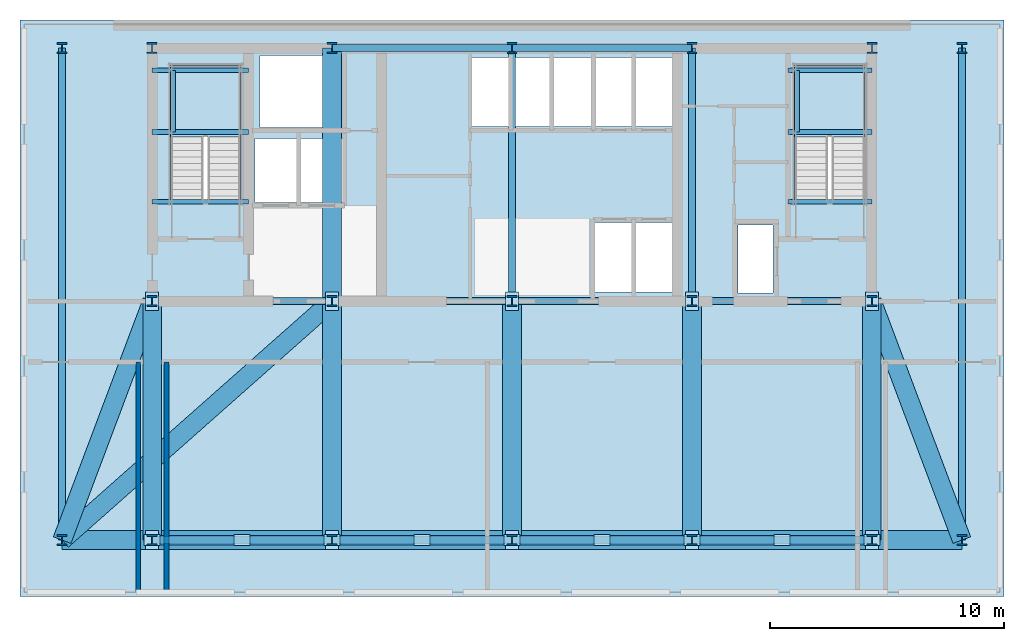
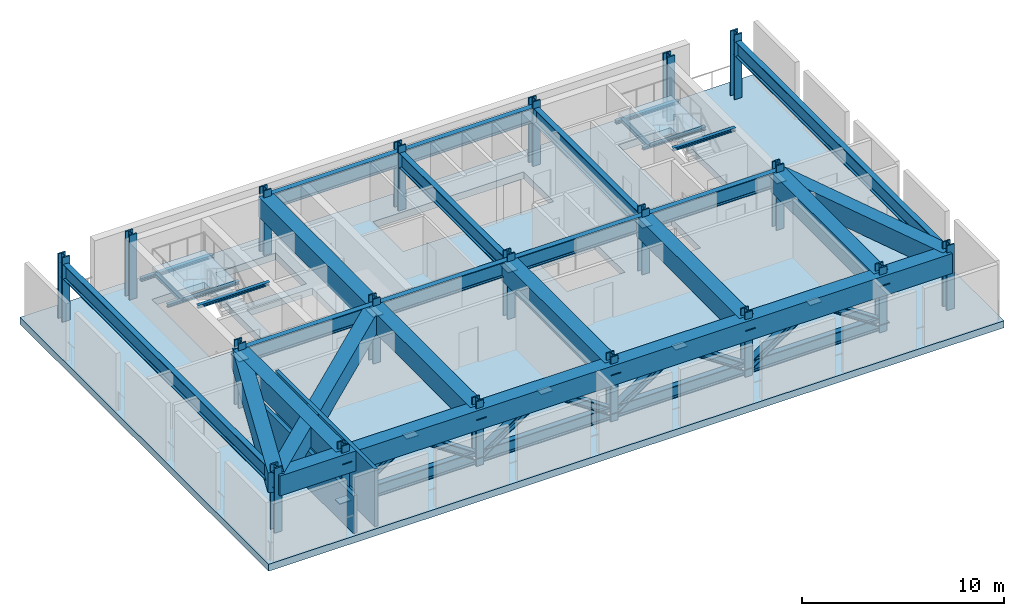
# One storey, part 1 of 7: 28 beams, 19 columns, 19 plates, 12 members, 3 slabs, 2 walls, 2 elements without a shape of their own.
"""IFC4 building model written with IfcOpenShell, lengths in metres."""

from ifc_helpers import new_model, si_unit, direction, frame, frame_2d, origin, origin_2d, place, context, subcontext, project, spatial, polyline, rectangle, i_section, outline, extrude, material, layer, layer_set, material_profile, profile_set, type_object, element, aggregate, save


model = new_model("IFC4")

# Units and contexts
model_context = context("Model", 3, precision=1e-05, world=origin(), true_north=direction((0.0, 1.0)))
body_context = subcontext(model_context, "Body", "Model", "MODEL_VIEW")
ifc_project = project(units=[si_unit("LENGTHUNIT", "METRE"), si_unit("AREAUNIT", "SQUARE_METRE"), si_unit("VOLUMEUNIT", "CUBIC_METRE"), si_unit("PLANEANGLEUNIT", "RADIAN"), si_unit("MASSUNIT", "GRAM", prefix="KILO")], contexts=[model_context])

# Site, building, storey
site_placement = place(None, origin())
site = spatial("IfcSite", under=ifc_project, at=site_placement, CompositionType="ELEMENT")
building_placement = place(site_placement, origin())
building = spatial("IfcBuilding", under=site, at=building_placement, Name="Yelkora Congress Tower", CompositionType="ELEMENT")
storey_placement = place(building_placement, frame((0.0, 0.0, 145.10009765625)))
storey = spatial("IfcBuildingStorey", under=building, at=storey_placement, Name="L39", CompositionType="ELEMENT", Elevation=145.10009765625)

# Columns
ifc_material_1 = material(Name="Steel S460M", Category="steel")
ifc_material_profile_1 = material_profile(ifc_material_1, i_section(OverallWidth=0.424072265625, OverallDepth=0.47412109375, WebThickness=0.047119140625, FlangeThickness=0.076904296875, FilletRadius=0.014892578125, at=origin_2d()), Name="HD 400x634")
ifc_profile_set_1 = profile_set([ifc_material_profile_1], Name="Steel S460M")
column_type = type_object("IfcColumnType", Name="COL-HD-634", PredefinedType="COLUMN", material=ifc_profile_set_1)
for number, where, z_axis, x_axis, name in (
    (1, (23.0400390625, 35.39990234375, 0.0), (0.0, 0.0, 1.0), (1.0, 0.0, 0.0), "L39 Mega Column MC-S1"),
    (2, (23.0400390625, 46.199951171875, 0.0), (0.0, 0.0, 1.0), (1.0, 0.0, 0.0), "L39 Mega Column MC-N1"),
    (3, (23.0400390625, 25.199951171875, 0.0), (0.0, 0.0, 1.0), (1.0, 0.0, 0.0), "L39 Mega Column MC-D1"),
    (4, (30.719970703125, 35.39990234375, 0.0), (0.0, 0.0, 1.0), (1.0, 0.0, 0.0), "L39 Mega Column MC-S2"),
    (5, (30.719970703125, 46.199951171875, 0.0), (0.0, 0.0, 1.0), (1.0, 0.0, 0.0), "L39 Mega Column MC-N2"),
    (6, (30.719970703125, 25.199951171875, 0.0), (0.0, 0.0, 1.0), (1.0, 0.0, 0.0), "L39 Mega Column MC-D2"),
    (7, (38.39990234375, 35.39990234375, 0.0), (0.0, 0.0, 1.0), (1.0, 0.0, 0.0), "L39 Mega Column MC-S3"),
    (8, (38.39990234375, 46.199951171875, 0.0), (0.0, 0.0, 1.0), (1.0, 0.0, 0.0), "L39 Mega Column MC-N3"),
    (9, (38.39990234375, 25.199951171875, 0.0), (0.0, 0.0, 1.0), (1.0, 0.0, 0.0), "L39 Mega Column MC-D3"),
    (10, (46.080078125, 35.39990234375, 0.0), (0.0, 0.0, 1.0), (1.0, 0.0, 0.0), "L39 Mega Column MC-S4"),
    (11, (46.080078125, 46.199951171875, 0.0), (0.0, 0.0, 1.0), (1.0, 0.0, 0.0), "L39 Mega Column MC-N4"),
    (12, (46.080078125, 25.199951171875, 0.0), (0.0, 0.0, 1.0), (1.0, 0.0, 0.0), "L39 Mega Column MC-D4"),
    (13, (53.760009765625, 35.39990234375, 0.0), (0.0, 0.0, 1.0), (1.0, 0.0, 0.0), "L39 Mega Column MC-S5"),
    (14, (53.760009765625, 46.199951171875, 0.0), (0.0, 0.0, 1.0), (1.0, 0.0, 0.0), "L39 Mega Column MC-N5"),
    (15, (53.760009765625, 25.199951171875, 0.0), (0.0, 0.0, 1.0), (1.0, 0.0, 0.0), "L39 Mega Column MC-D5"),
    (16, (19.199951171875, 25.199951171875, 0.0), (0.0, 0.0, 1.0), (1.0, 0.0, 0.0), "L39 Mega Column MC-F1"),
    (17, (57.60009765625, 25.199951171875, 0.0), (0.0, 0.0, 1.0), (1.0, 0.0, 0.0), "L39 Mega Column MC-F2"),
    (18, (19.199951171875, 46.199951171875, 0.0), (0.0, 0.0, 1.0), (1.0, 0.0, 0.0), "L39 Mega Column MC-F3"),
    (19, (57.60009765625, 46.199951171875, 0.0), (0.0, 0.0, 1.0), (1.0, 0.0, 0.0), "L39 Mega Column MC-F4"),
):
    element("IfcColumn", number, at=place(storey_placement, frame(where, z_axis=z_axis, x_axis=x_axis)), inside=storey, type_object=column_type, Name=name, PredefinedType="COLUMN", context=body_context, shape_type="SweptSolid", body=[
        extrude(i_section(OverallWidth=0.424072265625, OverallDepth=0.47412109375, WebThickness=0.047119140625, FlangeThickness=0.076904296875, FilletRadius=0.014892578125, at=origin_2d()), origin(), (0.0, 0.0, 1.0), 3.89990234375),
    ])

# Beams
ifc_material_2 = material(Name="Steel S355J2", Category="steel")
ifc_material_profile_2 = material_profile(ifc_material_2, i_section(OverallWidth=0.199951171875, OverallDepth=0.18994140625, WebThickness=0.006591796875, FlangeThickness=0.010009765625, FilletRadius=0.01806640625, at=origin_2d()), Name="HEA 200")
ifc_profile_set_2 = profile_set([ifc_material_profile_2], Name="Steel S355J2")
beam_type_1 = type_object("IfcBeamType", Name="BM-LAND-HEA200", PredefinedType="BEAM", material=ifc_profile_set_2)
for number, where, z_axis, x_axis, name in (
    (20, (23.0400390625, 42.6201171875, 1.634521484375), (1.0, 0.0, 0.0), (0.0, 1.0, 0.0), "ST-01 L39 Landing Header Beam 1S"),
    (21, (23.0400390625, 45.25, 1.634521484375), (1.0, 0.0, 0.0), (0.0, 1.0, 0.0), "ST-01 L39 Landing Header Beam 1N"),
):
    element("IfcBeam", number, at=place(storey_placement, frame(where, z_axis=z_axis, x_axis=x_axis)), inside=storey, type_object=beam_type_1, Name=name, PredefinedType="BEAM", context=body_context, shape_type="SweptSolid", body=[
        extrude(i_section(OverallWidth=0.199951171875, OverallDepth=0.18994140625, WebThickness=0.006591796875, FlangeThickness=0.010009765625, FilletRadius=0.01806640625, at=origin_2d()), origin(), (0.0, 0.0, 1.0), 4.10986328125),
    ])
beam_1_placement = place(storey_placement, frame((23.93994140625, 42.6201171875, 1.634521484375), z_axis=(0.0, 1.0, 0.0), x_axis=(-1.0, 0.0, 0.0)))
element("IfcBeam", 22, at=beam_1_placement, inside=storey, type_object=beam_type_1, Name="ST-01 L39 Landing Trimmer Beam 1M", PredefinedType="BEAM", context=body_context, shape_type="SweptSolid", body=[
    extrude(i_section(OverallWidth=0.199951171875, OverallDepth=0.18994140625, WebThickness=0.006591796875, FlangeThickness=0.010009765625, FilletRadius=0.01806640625, at=origin_2d()), origin(), (0.0, 0.0, 1.0), 2.6298828125),
])
beam_2_placement = place(storey_placement, frame((23.0400390625, 39.639892578125, 3.384521484375), z_axis=(1.0, 0.0, 0.0), x_axis=(0.0, 1.0, 0.0)))
element("IfcBeam", 23, at=beam_2_placement, inside=storey, type_object=beam_type_1, Name="ST-01 L39 Floor Arrival Stringer Header Beam", PredefinedType="BEAM", context=body_context, shape_type="SweptSolid", body=[
    extrude(i_section(OverallWidth=0.199951171875, OverallDepth=0.18994140625, WebThickness=0.006591796875, FlangeThickness=0.010009765625, FilletRadius=0.01806640625, at=origin_2d()), origin(), (0.0, 0.0, 1.0), 4.10986328125),
])
for number, where, z_axis, x_axis, name in (
    (24, (50.179931640625, 42.6201171875, 1.634521484375), (1.0, 0.0, 0.0), (0.0, 1.0, 0.0), "ST-02 L39 Landing Header Beam 1S"),
    (25, (50.179931640625, 45.25, 1.634521484375), (1.0, 0.0, 0.0), (0.0, 1.0, 0.0), "ST-02 L39 Landing Header Beam 1N"),
):
    element("IfcBeam", number, at=place(storey_placement, frame(where, z_axis=z_axis, x_axis=x_axis)), inside=storey, type_object=beam_type_1, Name=name, PredefinedType="BEAM", context=body_context, shape_type="SweptSolid", body=[
        extrude(i_section(OverallWidth=0.199951171875, OverallDepth=0.18994140625, WebThickness=0.006591796875, FlangeThickness=0.010009765625, FilletRadius=0.01806640625, at=origin_2d()), origin(), (0.0, 0.0, 1.0), 3.580078125),
    ])
beam_3_placement = place(storey_placement, frame((50.580078125, 42.6201171875, 1.634521484375), z_axis=(0.0, 1.0, 0.0), x_axis=(-1.0, 0.0, 0.0)))
element("IfcBeam", 26, at=beam_3_placement, inside=storey, type_object=beam_type_1, Name="ST-02 L39 Landing Trimmer Beam 1M", PredefinedType="BEAM", context=body_context, shape_type="SweptSolid", body=[
    extrude(i_section(OverallWidth=0.199951171875, OverallDepth=0.18994140625, WebThickness=0.006591796875, FlangeThickness=0.010009765625, FilletRadius=0.01806640625, at=origin_2d()), origin(), (0.0, 0.0, 1.0), 2.6298828125),
])
beam_4_placement = place(storey_placement, frame((50.179931640625, 39.639892578125, 3.384521484375), z_axis=(1.0, 0.0, 0.0), x_axis=(0.0, 1.0, 0.0)))
element("IfcBeam", 27, at=beam_4_placement, inside=storey, type_object=beam_type_1, Name="ST-02 L39 Floor Arrival Stringer Header Beam", PredefinedType="BEAM", context=body_context, shape_type="SweptSolid", body=[
    extrude(i_section(OverallWidth=0.199951171875, OverallDepth=0.18994140625, WebThickness=0.006591796875, FlangeThickness=0.010009765625, FilletRadius=0.01806640625, at=origin_2d()), origin(), (0.0, 0.0, 1.0), 3.580078125),
])
ifc_material_profile_3 = material_profile(ifc_material_1, i_section(OverallWidth=0.302001953125, OverallDepth=0.909912109375, WebThickness=0.02099609375, FlangeThickness=0.0400390625, FilletRadius=0.030029296875, at=origin_2d()), Name="HEM 900")
ifc_profile_set_3 = profile_set([ifc_material_profile_3], Name="Steel S460M")
beam_type_2 = type_object("IfcBeamType", Name="BM-XFER-HEM900", PredefinedType="BEAM", material=ifc_profile_set_3)
beam_5_placement = place(storey_placement, frame((30.719970703125, 46.199951171875, 3.02490234375), z_axis=(1.0, 0.0, 0.0), x_axis=(0.0, 1.0, 0.0)))
element("IfcBeam", 28, at=beam_5_placement, inside=storey, type_object=beam_type_2, Name="L39 Core North Girder 3", PredefinedType="BEAM", context=body_context, shape_type="SweptSolid", body=[
    extrude(i_section(OverallWidth=0.302001953125, OverallDepth=0.909912109375, WebThickness=0.02099609375, FlangeThickness=0.0400390625, FilletRadius=0.030029296875, at=origin_2d()), origin(), (0.0, 0.0, 1.0), 7.679931640625),
])
beam_6_placement = place(storey_placement, frame((38.39990234375, 46.199951171875, 3.02490234375), z_axis=(1.0, 0.0, 0.0), x_axis=(0.0, 1.0, 0.0)))
element("IfcBeam", 29, at=beam_6_placement, inside=storey, type_object=beam_type_2, Name="L39 Core North Girder 4", PredefinedType="BEAM", context=body_context, shape_type="SweptSolid", body=[
    extrude(i_section(OverallWidth=0.302001953125, OverallDepth=0.909912109375, WebThickness=0.02099609375, FlangeThickness=0.0400390625, FilletRadius=0.030029296875, at=origin_2d()), origin(), (0.0, 0.0, 1.0), 7.68017578125),
])
for number, where, z_axis, x_axis, name in (
    (30, (23.0400390625, 35.39990234375, 3.02490234375), (1.0, 0.0, 0.0), (0.0, 1.0, 0.0), "L39 Core South Girder 1"),
    (31, (30.719970703125, 35.39990234375, 3.02490234375), (1.0, 0.0, 0.0), (0.0, 1.0, 0.0), "L39 Core South Girder 2"),
):
    element("IfcBeam", number, at=place(storey_placement, frame(where, z_axis=z_axis, x_axis=x_axis)), inside=storey, type_object=beam_type_2, Name=name, PredefinedType="BEAM", context=body_context, shape_type="SweptSolid", body=[
        extrude(i_section(OverallWidth=0.302001953125, OverallDepth=0.909912109375, WebThickness=0.02099609375, FlangeThickness=0.0400390625, FilletRadius=0.030029296875, at=origin_2d()), origin(), (0.0, 0.0, 1.0), 7.679931640625),
    ])
beam_7_placement = place(storey_placement, frame((38.39990234375, 35.39990234375, 3.02490234375), z_axis=(1.0, 0.0, 0.0), x_axis=(0.0, 1.0, 0.0)))
element("IfcBeam", 32, at=beam_7_placement, inside=storey, type_object=beam_type_2, Name="L39 Core South Girder 3", PredefinedType="BEAM", context=body_context, shape_type="SweptSolid", body=[
    extrude(i_section(OverallWidth=0.302001953125, OverallDepth=0.909912109375, WebThickness=0.02099609375, FlangeThickness=0.0400390625, FilletRadius=0.030029296875, at=origin_2d()), origin(), (0.0, 0.0, 1.0), 7.68017578125),
])
beam_8_placement = place(storey_placement, frame((46.080078125, 35.39990234375, 3.02490234375), z_axis=(1.0, 0.0, 0.0), x_axis=(0.0, 1.0, 0.0)))
element("IfcBeam", 33, at=beam_8_placement, inside=storey, type_object=beam_type_2, Name="L39 Core South Girder 4", PredefinedType="BEAM", context=body_context, shape_type="SweptSolid", body=[
    extrude(i_section(OverallWidth=0.302001953125, OverallDepth=0.909912109375, WebThickness=0.02099609375, FlangeThickness=0.0400390625, FilletRadius=0.030029296875, at=origin_2d()), origin(), (0.0, 0.0, 1.0), 7.679931640625),
])
for number, where, z_axis, x_axis, name in (
    (34, (38.39990234375, 35.39990234375, 3.02490234375), (0.0, 1.0, 0.0), (-1.0, 0.0, 0.0), "L39 Core Tie Girder MC-S3"),
    (35, (46.080078125, 35.39990234375, 3.02490234375), (0.0, 1.0, 0.0), (-1.0, 0.0, 0.0), "L39 Core Tie Girder MC-S4"),
):
    element("IfcBeam", number, at=place(storey_placement, frame(where, z_axis=z_axis, x_axis=x_axis)), inside=storey, type_object=beam_type_2, Name=name, PredefinedType="BEAM", context=body_context, shape_type="SweptSolid", body=[
        extrude(i_section(OverallWidth=0.302001953125, OverallDepth=0.909912109375, WebThickness=0.02099609375, FlangeThickness=0.0400390625, FilletRadius=0.030029296875, at=origin_2d()), origin(), (0.0, 0.0, 1.0), 10.800048828125),
    ])
for number, where, z_axis, x_axis, name in (
    (36, (19.199951171875, 25.199951171875, 3.02490234375), (0.0, 1.0, 0.0), (-1.0, 0.0, 0.0), "L39 Neck Flank Girder MC-F1"),
    (37, (57.60009765625, 25.199951171875, 3.02490234375), (0.0, 1.0, 0.0), (-1.0, 0.0, 0.0), "L39 Neck Flank Girder MC-F2"),
):
    element("IfcBeam", number, at=place(storey_placement, frame(where, z_axis=z_axis, x_axis=x_axis)), inside=storey, type_object=beam_type_2, Name=name, PredefinedType="BEAM", context=body_context, shape_type="SweptSolid", body=[
        extrude(i_section(OverallWidth=0.302001953125, OverallDepth=0.909912109375, WebThickness=0.02099609375, FlangeThickness=0.0400390625, FilletRadius=0.030029296875, at=origin_2d()), origin(), (0.0, 0.0, 1.0), 21.0),
    ])
ifc_material_3 = material(Name="Concrete C60/75", Category="concrete")
ifc_material_profile_4 = material_profile(ifc_material_3, rectangle(XDim=0.800048828125, YDim=1.199951171875, at=origin_2d()), Name="RC 800x1200")
ifc_profile_set_4 = profile_set([ifc_material_profile_4], Name="Concrete C60/75")
beam_type_3 = type_object("IfcBeamType", Name="BM-XFER-RC1200", PredefinedType="BEAM", material=ifc_profile_set_4)
beam_9_placement = place(storey_placement, frame((30.719970703125, 35.39990234375, 2.8798828125), z_axis=(-0.748700900637, -0.662907958456, 0.0), x_axis=(0.662907958456, -0.748700900637, 0.0)))
element("IfcBeam", 38, at=beam_9_placement, inside=storey, type_object=beam_type_3, Name="L39 Transfer Backspan Girder S01", PredefinedType="BEAM", context=body_context, shape_type="SweptSolid", body=[
    extrude(rectangle(XDim=0.800048828125, YDim=1.199951171875, at=origin_2d()), origin(), (0.0, 0.0, 1.0), 15.38671875),
])
beam_10_placement = place(storey_placement, frame((23.0400390625, 35.39990234375, 2.8798828125), z_axis=(-0.352338299189, -0.935872706582, 0.0), x_axis=(0.935872706582, -0.352338299189, 0.0)))
element("IfcBeam", 39, at=beam_10_placement, inside=storey, type_object=beam_type_3, Name="L39 Transfer Backspan Girder S03", PredefinedType="BEAM", context=body_context, shape_type="SweptSolid", body=[
    extrude(rectangle(XDim=0.800048828125, YDim=1.199951171875, at=origin_2d()), origin(), (0.0, 0.0, 1.0), 10.89892578125),
])
for number, where, z_axis, x_axis, name in (
    (40, (23.0400390625, 35.39990234375, 2.8798828125), (0.0, -1.0, 0.0), (1.0, 0.0, 0.0), "L39 Transfer Backspan Girder S04"),
    (41, (30.719970703125, 35.39990234375, 2.8798828125), (0.0, -1.0, 0.0), (1.0, 0.0, 0.0), "L39 Transfer Backspan Girder S05"),
    (42, (38.39990234375, 35.39990234375, 2.8798828125), (0.0, -1.0, 0.0), (1.0, 0.0, 0.0), "L39 Transfer Backspan Girder S06"),
    (43, (46.080078125, 35.39990234375, 2.8798828125), (0.0, -1.0, 0.0), (1.0, 0.0, 0.0), "L39 Transfer Backspan Girder S07"),
    (44, (53.760009765625, 35.39990234375, 2.8798828125), (0.0, -1.0, 0.0), (1.0, 0.0, 0.0), "L39 Transfer Backspan Girder S08"),
):
    element("IfcBeam", number, at=place(storey_placement, frame(where, z_axis=z_axis, x_axis=x_axis)), inside=storey, type_object=beam_type_3, Name=name, PredefinedType="BEAM", context=body_context, shape_type="SweptSolid", body=[
        extrude(rectangle(XDim=0.800048828125, YDim=1.199951171875, at=origin_2d()), origin(), (0.0, 0.0, 1.0), 10.199951171875),
    ])
beam_11_placement = place(storey_placement, frame((30.719970703125, 35.39990234375, 2.8798828125), z_axis=(0.0, 1.0, 0.0), x_axis=(-1.0, 0.0, 0.0)))
element("IfcBeam", 45, at=beam_11_placement, inside=storey, type_object=beam_type_3, Name="L39 Transfer Backspan Girder N04", PredefinedType="BEAM", context=body_context, shape_type="SweptSolid", body=[
    extrude(rectangle(XDim=0.800048828125, YDim=1.199951171875, at=origin_2d()), origin(), (0.0, 0.0, 1.0), 10.800048828125),
])
beam_12_placement = place(storey_placement, frame((57.60009765625, 25.199951171875, 2.8798828125), z_axis=(-1.0, 0.0, 0.0), x_axis=(0.0, -1.0, 0.0)))
element("IfcBeam", 46, at=beam_12_placement, inside=storey, type_object=beam_type_3, Name="L39 Transfer Backspan Girder W01", PredefinedType="BEAM", context=body_context, shape_type="SweptSolid", body=[
    extrude(rectangle(XDim=0.800048828125, YDim=1.199951171875, at=origin_2d()), origin(), (0.0, 0.0, 1.0), 38.400146484375),
])
beam_13_placement = place(storey_placement, frame((53.760009765625, 35.39990234375, 2.8798828125), z_axis=(0.352338299189, -0.935872706582, 0.0), x_axis=(0.935872706582, 0.352338299189, 0.0)))
element("IfcBeam", 47, at=beam_13_placement, inside=storey, type_object=beam_type_3, Name="L39 Transfer Backspan Girder E01", PredefinedType="BEAM", context=body_context, shape_type="SweptSolid", body=[
    extrude(rectangle(XDim=0.800048828125, YDim=1.199951171875, at=origin_2d()), origin(), (0.0, 0.0, 1.0), 10.89892578125),
])

# Members
ifc_material_profile_5 = material_profile(ifc_material_1, i_section(OverallWidth=0.406005859375, OverallDepth=0.416015625, WebThickness=0.02978515625, FlangeThickness=0.048095703125, FilletRadius=0.014892578125, at=origin_2d()), Name="HD 400x382")
ifc_profile_set_5 = profile_set([ifc_material_profile_5], Name="Steel S460M")
member_type_1 = type_object("IfcMemberType", Name="MEM-BRACE-HD382", PredefinedType="BRACE", material=ifc_profile_set_5)
member_1_placement = place(storey_placement, frame((23.0400390625, 25.199951171875, 0.449951171875), z_axis=(0.830055707329, 0.0, 0.557680484445), x_axis=(0.0, 1.0, 0.0)))
element("IfcMember", 48, at=member_1_placement, inside=storey, type_object=member_type_1, Name="N2 L39 Outrigger Belt Diagonal 1A", PredefinedType="BRACE", context=body_context, shape_type="SweptSolid", body=[
    extrude(i_section(OverallWidth=0.406005859375, OverallDepth=0.416015625, WebThickness=0.02978515625, FlangeThickness=0.048095703125, FilletRadius=0.014892578125, at=origin_2d()), origin(), (0.0, 0.0, 1.0), 4.6259765625),
])
for number, where, z_axis, x_axis, name in (
    (49, (30.719970703125, 25.199951171875, 0.449951171875), (-0.83007211988, 0.0, 0.557656055107), (0.0, -1.0, 0.0), "N2 L39 Outrigger Belt Diagonal 1B"),
    (50, (30.719970703125, 25.199951171875, 0.449951171875), (0.83007211988, 0.0, 0.557656055107), (0.0, 1.0, 0.0), "N2 L39 Outrigger Belt Diagonal 2A"),
):
    element("IfcMember", number, at=place(storey_placement, frame(where, z_axis=z_axis, x_axis=x_axis)), inside=storey, type_object=member_type_1, Name=name, PredefinedType="BRACE", context=body_context, shape_type="SweptSolid", body=[
        extrude(i_section(OverallWidth=0.406005859375, OverallDepth=0.416015625, WebThickness=0.02978515625, FlangeThickness=0.048095703125, FilletRadius=0.014892578125, at=origin_2d()), origin(), (0.0, 0.0, 1.0), 4.626220703125),
    ])
member_2_placement = place(storey_placement, frame((38.39990234375, 25.199951171875, 0.449951171875), z_axis=(-0.830055707329, 0.0, 0.557680484445), x_axis=(0.0, -1.0, 0.0)))
element("IfcMember", 51, at=member_2_placement, inside=storey, type_object=member_type_1, Name="N2 L39 Outrigger Belt Diagonal 2B", PredefinedType="BRACE", context=body_context, shape_type="SweptSolid", body=[
    extrude(i_section(OverallWidth=0.406005859375, OverallDepth=0.416015625, WebThickness=0.02978515625, FlangeThickness=0.048095703125, FilletRadius=0.014892578125, at=origin_2d()), origin(), (0.0, 0.0, 1.0), 4.6259765625),
])
for number, where, z_axis, x_axis, name in (
    (52, (38.39990234375, 25.199951171875, 0.449951171875), (0.83007211988, 0.0, 0.557656055107), (0.0, 1.0, 0.0), "N2 L39 Outrigger Belt Diagonal 3A"),
    (53, (46.080078125, 25.199951171875, 0.449951171875), (-0.83007211988, 0.0, 0.557656055107), (0.0, -1.0, 0.0), "N2 L39 Outrigger Belt Diagonal 3B"),
):
    element("IfcMember", number, at=place(storey_placement, frame(where, z_axis=z_axis, x_axis=x_axis)), inside=storey, type_object=member_type_1, Name=name, PredefinedType="BRACE", context=body_context, shape_type="SweptSolid", body=[
        extrude(i_section(OverallWidth=0.406005859375, OverallDepth=0.416015625, WebThickness=0.02978515625, FlangeThickness=0.048095703125, FilletRadius=0.014892578125, at=origin_2d()), origin(), (0.0, 0.0, 1.0), 4.626220703125),
    ])
member_3_placement = place(storey_placement, frame((46.080078125, 25.199951171875, 0.449951171875), z_axis=(0.830055707329, 0.0, 0.557680484445), x_axis=(0.0, 1.0, 0.0)))
element("IfcMember", 54, at=member_3_placement, inside=storey, type_object=member_type_1, Name="N2 L39 Outrigger Belt Diagonal 4A", PredefinedType="BRACE", context=body_context, shape_type="SweptSolid", body=[
    extrude(i_section(OverallWidth=0.406005859375, OverallDepth=0.416015625, WebThickness=0.02978515625, FlangeThickness=0.048095703125, FilletRadius=0.014892578125, at=origin_2d()), origin(), (0.0, 0.0, 1.0), 4.6259765625),
])
member_4_placement = place(storey_placement, frame((53.760009765625, 25.199951171875, 0.449951171875), z_axis=(-0.83007211988, 0.0, 0.557656055107), x_axis=(0.0, -1.0, 0.0)))
element("IfcMember", 55, at=member_4_placement, inside=storey, type_object=member_type_1, Name="N2 L39 Outrigger Belt Diagonal 4B", PredefinedType="BRACE", context=body_context, shape_type="SweptSolid", body=[
    extrude(i_section(OverallWidth=0.406005859375, OverallDepth=0.416015625, WebThickness=0.02978515625, FlangeThickness=0.048095703125, FilletRadius=0.014892578125, at=origin_2d()), origin(), (0.0, 0.0, 1.0), 4.626220703125),
])
ifc_material_profile_6 = material_profile(ifc_material_1, i_section(OverallWidth=0.303955078125, OverallDepth=0.716064453125, WebThickness=0.02099609375, FlangeThickness=0.0400390625, FilletRadius=0.027099609375, at=origin_2d()), Name="HEM 700")
ifc_profile_set_6 = profile_set([ifc_material_profile_6], Name="Steel S460M")
member_type_2 = type_object("IfcMemberType", Name="MEM-CHORD-HEM700", PredefinedType="CHORD", material=ifc_profile_set_6)
for number, where, z_axis, x_axis, name in (
    (56, (23.0400390625, 25.199951171875, 0.449951171875), (1.0, 0.0, 0.0), (0.0, 1.0, 0.0), "N2 L39 Belt Truss Chord 1"),
    (57, (30.719970703125, 25.199951171875, 0.449951171875), (1.0, 0.0, 0.0), (0.0, 1.0, 0.0), "N2 L39 Belt Truss Chord 2"),
):
    element("IfcMember", number, at=place(storey_placement, frame(where, z_axis=z_axis, x_axis=x_axis)), inside=storey, type_object=member_type_2, Name=name, PredefinedType="CHORD", context=body_context, shape_type="SweptSolid", body=[
        extrude(i_section(OverallWidth=0.303955078125, OverallDepth=0.716064453125, WebThickness=0.02099609375, FlangeThickness=0.0400390625, FilletRadius=0.027099609375, at=origin_2d()), origin(), (0.0, 0.0, 1.0), 7.679931640625),
    ])
member_5_placement = place(storey_placement, frame((38.39990234375, 25.199951171875, 0.449951171875), z_axis=(1.0, 0.0, 0.0), x_axis=(0.0, 1.0, 0.0)))
element("IfcMember", 58, at=member_5_placement, inside=storey, type_object=member_type_2, Name="N2 L39 Belt Truss Chord 3", PredefinedType="CHORD", context=body_context, shape_type="SweptSolid", body=[
    extrude(i_section(OverallWidth=0.303955078125, OverallDepth=0.716064453125, WebThickness=0.02099609375, FlangeThickness=0.0400390625, FilletRadius=0.027099609375, at=origin_2d()), origin(), (0.0, 0.0, 1.0), 7.68017578125),
])
member_6_placement = place(storey_placement, frame((46.080078125, 25.199951171875, 0.449951171875), z_axis=(1.0, 0.0, 0.0), x_axis=(0.0, 1.0, 0.0)))
element("IfcMember", 59, at=member_6_placement, inside=storey, type_object=member_type_2, Name="N2 L39 Belt Truss Chord 4", PredefinedType="CHORD", context=body_context, shape_type="SweptSolid", body=[
    extrude(i_section(OverallWidth=0.303955078125, OverallDepth=0.716064453125, WebThickness=0.02099609375, FlangeThickness=0.0400390625, FilletRadius=0.027099609375, at=origin_2d()), origin(), (0.0, 0.0, 1.0), 7.679931640625),
])

# Plates
ifc_layer_1 = layer(ifc_material_2, 0.050048828125)
ifc_layer_set_1 = layer_set([ifc_layer_1], Name="Steel S355J2")
plate_type_1 = type_object("IfcPlateType", Name="PLT-GUSSET-680x480", PredefinedType="USERDEFINED", material=ifc_layer_set_1)
for number, where, z_axis, x_axis, name in (
    (60, (26.8798828125, 25.199951171875, 3.0048828125), (0.0, 0.0, 1.0), (1.0, 0.0, 0.0), "N2 L39 Belt Truss Apex Gusset Plate 1"),
    (61, (23.0400390625, 25.199951171875, 0.4248046875), (0.0, 0.0, 1.0), (1.0, 0.0, 0.0), "N2 L39 Belt Truss Foot Gusset Plate 1L"),
    (62, (34.56005859375, 25.199951171875, 3.0048828125), (0.0, 0.0, 1.0), (1.0, 0.0, 0.0), "N2 L39 Belt Truss Apex Gusset Plate 2"),
    (63, (30.719970703125, 25.199951171875, 0.4248046875), (0.0, 0.0, 1.0), (1.0, 0.0, 0.0), "N2 L39 Belt Truss Foot Gusset Plate 2L"),
    (64, (42.239990234375, 25.199951171875, 3.0048828125), (0.0, 0.0, 1.0), (1.0, 0.0, 0.0), "N2 L39 Belt Truss Apex Gusset Plate 3"),
    (65, (38.39990234375, 25.199951171875, 0.4248046875), (0.0, 0.0, 1.0), (1.0, 0.0, 0.0), "N2 L39 Belt Truss Foot Gusset Plate 3L"),
    (66, (49.919921875, 25.199951171875, 3.0048828125), (0.0, 0.0, 1.0), (1.0, 0.0, 0.0), "N2 L39 Belt Truss Apex Gusset Plate 4"),
    (67, (46.080078125, 25.199951171875, 0.4248046875), (0.0, 0.0, 1.0), (1.0, 0.0, 0.0), "N2 L39 Belt Truss Foot Gusset Plate 4L"),
    (68, (53.760009765625, 25.199951171875, 0.4248046875), (0.0, 0.0, 1.0), (1.0, 0.0, 0.0), "N2 L39 Belt Truss Foot Gusset Plate R"),
):
    element("IfcPlate", number, at=place(storey_placement, frame(where, z_axis=z_axis, x_axis=x_axis)), inside=storey, type_object=plate_type_1, Name=name, ObjectType="GUSSET_PLATE", PredefinedType="USERDEFINED", context=body_context, shape_type="SweptSolid", body=[
        extrude(rectangle(XDim=0.679931640625, YDim=0.47998046875, at=origin_2d()), origin(), (0.0, 0.0, 1.0), 0.050048828125),
    ])
ifc_layer_2 = layer(ifc_material_1, 0.06005859375)
ifc_layer_set_2 = layer_set([ifc_layer_2], Name="Steel S460M")
plate_type_2 = type_object("IfcPlateType", Name="PLT-GUSSET-800x560", PredefinedType="USERDEFINED", material=ifc_layer_set_2)
for number, where, z_axis, x_axis, name in (
    (69, (23.0400390625, 35.39990234375, 2.89990234375), (0.0, 0.0, 1.0), (0.0, 1.0, 0.0), "N2 Outrigger End Gusset Plate 1CT"),
    (70, (23.0400390625, 25.199951171875, 2.89990234375), (0.0, 0.0, 1.0), (0.0, 1.0, 0.0), "N2 Outrigger End Gusset Plate 1ST"),
    (71, (30.719970703125, 35.39990234375, 2.89990234375), (0.0, 0.0, 1.0), (0.0, 1.0, 0.0), "N2 Outrigger End Gusset Plate 2CT"),
    (72, (30.719970703125, 25.199951171875, 2.89990234375), (0.0, 0.0, 1.0), (0.0, 1.0, 0.0), "N2 Outrigger End Gusset Plate 2ST"),
    (73, (38.39990234375, 35.39990234375, 2.89990234375), (0.0, 0.0, 1.0), (0.0, 1.0, 0.0), "N2 Outrigger End Gusset Plate 3CT"),
    (74, (38.39990234375, 25.199951171875, 2.89990234375), (0.0, 0.0, 1.0), (0.0, 1.0, 0.0), "N2 Outrigger End Gusset Plate 3ST"),
    (75, (46.080078125, 35.39990234375, 2.89990234375), (0.0, 0.0, 1.0), (0.0, 1.0, 0.0), "N2 Outrigger End Gusset Plate 4CT"),
    (76, (46.080078125, 25.199951171875, 2.89990234375), (0.0, 0.0, 1.0), (0.0, 1.0, 0.0), "N2 Outrigger End Gusset Plate 4ST"),
    (77, (53.760009765625, 35.39990234375, 2.89990234375), (0.0, 0.0, 1.0), (0.0, 1.0, 0.0), "N2 Outrigger End Gusset Plate 5CT"),
    (78, (53.760009765625, 25.199951171875, 2.89990234375), (0.0, 0.0, 1.0), (0.0, 1.0, 0.0), "N2 Outrigger End Gusset Plate 5ST"),
):
    element("IfcPlate", number, at=place(storey_placement, frame(where, z_axis=z_axis, x_axis=x_axis)), inside=storey, type_object=plate_type_2, Name=name, ObjectType="GUSSET_PLATE", PredefinedType="USERDEFINED", context=body_context, shape_type="SweptSolid", body=[
        extrude(rectangle(XDim=0.800048828125, YDim=0.56005859375, at=origin_2d()), origin(), (0.0, 0.0, 1.0), 0.06005859375),
    ])

# Stair, slab
ifc_material_4 = material(Name="Concrete C40/50", Category="concrete")
stair_type = type_object("IfcStairType", Name="STAIR-HT-1420-R22-177", PredefinedType="HALF_TURN_STAIR", material=ifc_material_4)
stair_1_placement = place(storey_placement, origin())
stair_1 = element("IfcStair", 79, at=stair_1_placement, inside=storey, type_object=stair_type, Name="West Core Protected Exit Stair ST-01 (L39)", PredefinedType="HALF_TURN_STAIR")
ifc_layer_3 = layer(ifc_material_4, 0.219970703125)
ifc_layer_set_3 = layer_set([ifc_layer_3], Name="Concrete C40/50")
slab_type_1 = type_object("IfcSlabType", Name="SLAB-LANDING-220", PredefinedType="LANDING", material=ifc_layer_set_3)
slab_1_placement = place(storey_placement, frame((0.0, 0.0, 1.72998046875)))
slab_1 = element("IfcSlab", 80, at=slab_1_placement, type_object=slab_type_1, Name="ST-01 L39 Half Landing 1", PredefinedType="LANDING", context=body_context, shape_type="SweptSolid", body=[
    extrude(outline(polyline([(26.820068359375, 42.39990234375), (26.820068359375, 45.469970703125), (23.820068359375, 45.469970703125), (23.820068359375, 42.39990234375), (26.820068359375, 42.39990234375)])), origin(), (0.0, 0.0, 1.0), 0.219970703125),
])
aggregate(stair_1, [slab_1])

stair_2_placement = place(storey_placement, origin())
stair_2 = element("IfcStair", 81, at=stair_2_placement, inside=storey, type_object=stair_type, Name="East Core Protected Exit Stair ST-02 (L39)", PredefinedType="HALF_TURN_STAIR")
slab_2_placement = place(storey_placement, frame((0.0, 0.0, 1.72998046875)))
slab_2 = element("IfcSlab", 82, at=slab_2_placement, type_object=slab_type_1, Name="ST-02 L39 Half Landing 1", PredefinedType="LANDING", context=body_context, shape_type="SweptSolid", body=[
    extrude(outline(polyline([(53.4599609375, 42.39990234375), (53.4599609375, 45.469970703125), (50.4599609375, 45.469970703125), (50.4599609375, 42.39990234375), (53.4599609375, 42.39990234375)])), origin(), (0.0, 0.0, 1.0), 0.219970703125),
])
aggregate(stair_2, [slab_2])

# Slab
ifc_layer_4 = layer(ifc_material_3, 0.419921875)
ifc_layer_set_4 = layer_set([ifc_layer_4], Name="Concrete C60/75")
slab_type_2 = type_object("IfcSlabType", Name="SLAB-XFER-420", PredefinedType="FLOOR", material=ifc_layer_set_4)
slab_3_placement = place(storey_placement, frame((0.0, 0.0, -0.420166015625)))
element("IfcSlab", 83, at=slab_3_placement, inside=storey, type_object=slab_type_2, Name="L39 Structural Floor Slab", PredefinedType="FLOOR", context=body_context, shape_type="SweptSolid", body=[
    extrude(outline(polyline([(17.39990234375, 22.800048828125), (59.39990234375, 22.800048828125), (59.39990234375, 47.39990234375), (17.39990234375, 47.39990234375), (17.39990234375, 22.800048828125)]), holes=[polyline([(23.820068359375, 39.6298828125), (26.820068359375, 39.6298828125), (26.820068359375, 45.469970703125), (23.820068359375, 45.469970703125), (23.820068359375, 39.6298828125)]), polyline([(50.4599609375, 39.6298828125), (53.4599609375, 39.6298828125), (53.4599609375, 45.469970703125), (50.4599609375, 45.469970703125), (50.4599609375, 39.6298828125)]), polyline([(48.050048828125, 35.75), (49.550048828125, 35.75), (49.550048828125, 38.64990234375), (48.050048828125, 38.64990234375), (48.050048828125, 35.75)]), polyline([(36.64990234375, 42.85009765625), (45.25, 42.85009765625), (45.25, 45.800048828125), (36.64990234375, 45.800048828125), (36.64990234375, 42.85009765625)]), polyline([(41.949951171875, 35.800048828125), (45.25, 35.800048828125), (45.25, 38.75), (41.949951171875, 38.75), (41.949951171875, 35.800048828125)]), polyline([(27.419921875, 39.60009765625), (31.179931640625, 39.60009765625), (31.179931640625, 42.35009765625), (27.419921875, 42.35009765625), (27.419921875, 39.60009765625)]), polyline([(27.64990234375, 42.820068359375), (31.1201171875, 42.820068359375), (31.1201171875, 45.8798828125), (27.64990234375, 45.8798828125), (27.64990234375, 42.820068359375)])]), origin(), (0.0, 0.0, 1.0), 0.420166015625),
])

# Walls
ifc_material_5 = material(Name="Autoclaved aerated concrete blockwork", Category="masonry")
ifc_layer_5 = layer(ifc_material_5, 0.199951171875)
ifc_layer_set_5 = layer_set([ifc_layer_5], Name="Autoclaved aerated concrete blockwork")
wall_type = type_object("IfcWallType", Name="WALL-INT-200-R120", PredefinedType="PARTITIONING", material=ifc_layer_set_5)
wall_1_placement = place(storey_placement, frame((22.449951171875, 22.97998046875, 0.0), z_axis=(0.0, 0.0, 1.0), x_axis=(0.0, 1.0, 0.0)))
element("IfcWall", 84, at=wall_1_placement, inside=storey, type_object=wall_type, Name="L39 Partition Wall 29", PredefinedType="PARTITIONING", context=body_context, shape_type="SweptSolid", body=[
    extrude(rectangle(XDim=9.820068359375, YDim=0.199951171875, at=frame_2d((4.91015625, 0.0))), origin(), (0.0, 0.0, 1.0), 2.27490234375),
])
wall_2_placement = place(storey_placement, frame((23.64990234375, 22.97998046875, 0.0), z_axis=(0.0, 0.0, 1.0), x_axis=(0.0, 1.0, 0.0)))
element("IfcWall", 85, at=wall_2_placement, inside=storey, type_object=wall_type, Name="L39 Partition Wall 30", PredefinedType="PARTITIONING", context=body_context, shape_type="SweptSolid", body=[
    extrude(rectangle(XDim=9.820068359375, YDim=0.199951171875, at=frame_2d((4.91015625, 0.0))), origin(), (0.0, 0.0, 1.0), 3.47998046875),
])

save(model, "model.ifc")
